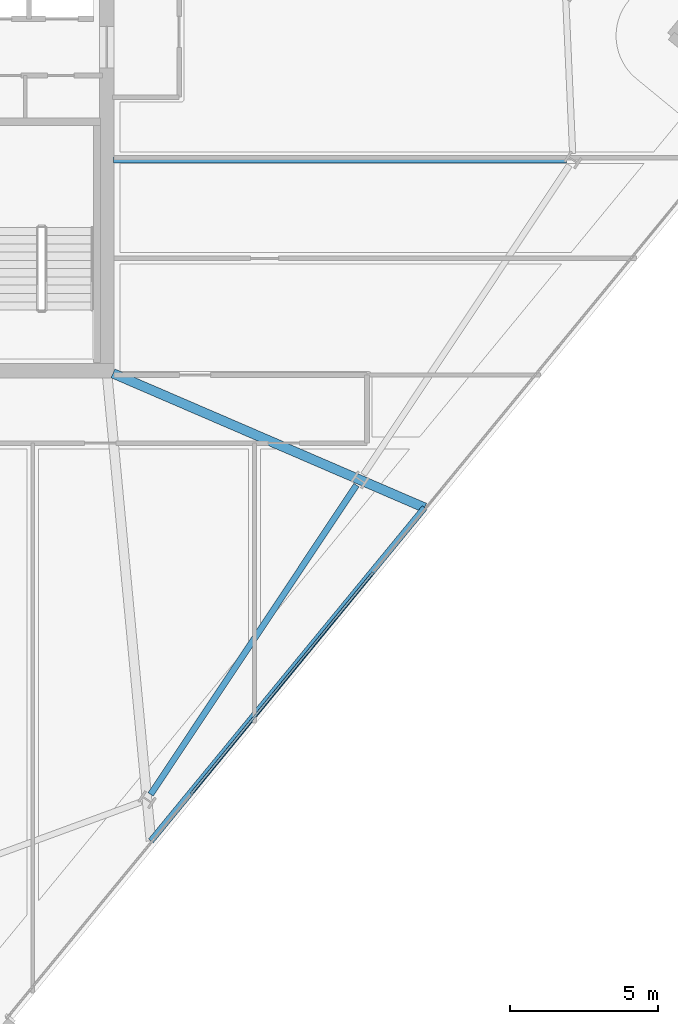
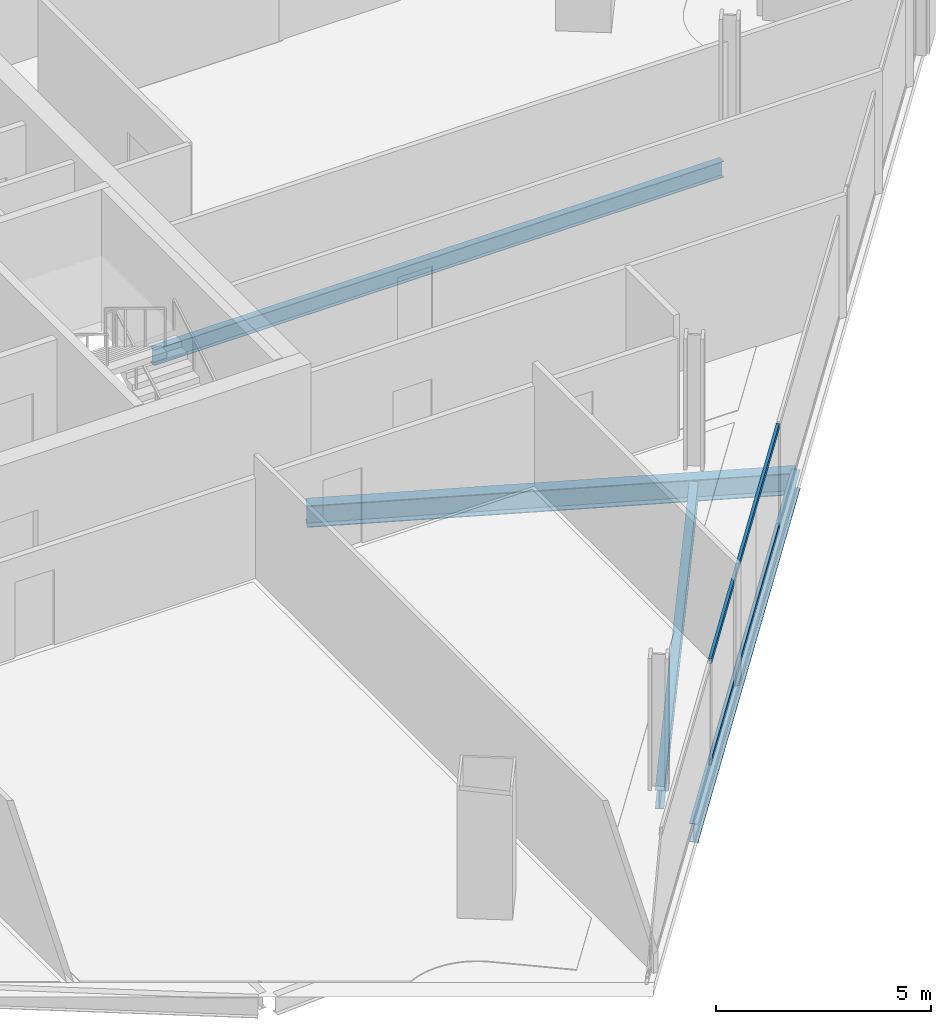
# One storey, part 10 of 28: 4 beams, 2 members, 1 element without a shape of its own.
"""IFC4 building model written with IfcOpenShell, lengths in metres."""

from ifc_helpers import new_model, si_unit, direction, frame, origin, origin_2d, place, context, subcontext, project, spatial, hollow_rectangle, i_section, extrude, material, material_profile, profile_set, type_object, element, aggregate, save


model = new_model("IFC4")

# Units and contexts
model_context = context("Model", 3, precision=1e-05, world=origin(), true_north=direction((0.0, 1.0)))
body_context = subcontext(model_context, "Body", "Model", "MODEL_VIEW")
ifc_project = project(units=[si_unit("LENGTHUNIT", "METRE"), si_unit("AREAUNIT", "SQUARE_METRE"), si_unit("VOLUMEUNIT", "CUBIC_METRE"), si_unit("PLANEANGLEUNIT", "RADIAN"), si_unit("MASSUNIT", "GRAM", prefix="KILO")], contexts=[model_context])

# Site, building, storey
site_placement = place(None, origin())
site = spatial("IfcSite", under=ifc_project, at=site_placement, CompositionType="ELEMENT")
building_placement = place(site_placement, origin())
building = spatial("IfcBuilding", under=site, at=building_placement, Name="Haldenkirk Collegiate Tower", CompositionType="ELEMENT")
storey_placement = place(building_placement, frame((0.0, 0.0, 198.449951171875)))
storey = spatial("IfcBuildingStorey", under=building, at=storey_placement, Name="L49", CompositionType="ELEMENT", Elevation=198.449951171875)

# Beams
ifc_material_1 = material(Name="Steel ASTM A992 Grade 50", Category="steel")
ifc_material_profile_1 = material_profile(ifc_material_1, i_section(OverallWidth=0.324951171875, OverallDepth=0.615966796875, WebThickness=0.013916015625, FlangeThickness=0.021484375, at=origin_2d()), Name="W24X117")
ifc_profile_set_1 = profile_set([ifc_material_profile_1], Name="Steel ASTM A992 Grade 50")
beam_type_1 = type_object("IfcBeamType", Name="BM-GIRDER-W24X117", PredefinedType="BEAM", material=ifc_profile_set_1)
beam_1_placement = place(storey_placement, frame((55.749267578125, 13.3662109375, -0.587890625), z_axis=(-0.91830995229, 0.395862137018, 0.0), x_axis=(-0.395862137018, -0.91830995229, 0.0)))
element("IfcBeam", 1, at=beam_1_placement, inside=storey, type_object=beam_type_1, Name="L49 primary floor girder 06", PredefinedType="BEAM", context=body_context, shape_type="SweptSolid", body=[
    extrude(i_section(OverallWidth=0.324951171875, OverallDepth=0.615966796875, WebThickness=0.013916015625, FlangeThickness=0.021484375, at=origin_2d()), origin(), (0.0, 0.0, 1.0), 11.4755859375),
])
ifc_material_profile_2 = material_profile(ifc_material_1, i_section(OverallWidth=0.18994140625, OverallDepth=0.45703125, WebThickness=0.009033203125, FlangeThickness=0.014404296875, at=origin_2d()), Name="W18X50")
ifc_profile_set_2 = profile_set([ifc_material_profile_2], Name="Steel ASTM A992 Grade 50")
beam_type_2 = type_object("IfcBeamType", Name="BM-JOIST-W18X50", PredefinedType="JOIST", material=ifc_profile_set_2)
beam_2_placement = place(storey_placement, frame((60.548828125, 25.12646484375, -0.508544921875), z_axis=(-1.0, 0.0, 0.0), x_axis=(0.0, -1.0, 0.0)))
element("IfcBeam", 2, at=beam_2_placement, inside=storey, type_object=beam_type_2, Name="L49 composite floor joist 07", PredefinedType="JOIST", context=body_context, shape_type="SweptSolid", body=[
    extrude(i_section(OverallWidth=0.18994140625, OverallDepth=0.45703125, WebThickness=0.009033203125, FlangeThickness=0.014404296875, at=origin_2d()), origin(), (0.0, 0.0, 1.0), 15.31884765625),
])
ifc_material_profile_3 = material_profile(ifc_material_1, i_section(OverallWidth=0.2099609375, OverallDepth=0.537109375, WebThickness=0.010986328125, FlangeThickness=0.017333984375, at=origin_2d()), Name="W21X68")
ifc_profile_set_3 = profile_set([ifc_material_profile_3], Name="Steel ASTM A992 Grade 50")
beam_type_3 = type_object("IfcBeamType", Name="BM-SPANDREL-W21X68", PredefinedType="SPANDREL", material=ifc_profile_set_3)
beam_3_placement = place(storey_placement, frame((46.4833984375, 3.67041015625, -0.54833984375), z_axis=(0.554112521622, 0.832441777773, 0.0), x_axis=(-0.832441777773, 0.554112521622, 0.0)))
element("IfcBeam", 3, at=beam_3_placement, inside=storey, type_object=beam_type_3, Name="L49 perimeter spandrel beam 02", PredefinedType="SPANDREL", context=body_context, shape_type="SweptSolid", body=[
    extrude(i_section(OverallWidth=0.2099609375, OverallDepth=0.537109375, WebThickness=0.010986328125, FlangeThickness=0.017333984375, at=origin_2d()), origin(), (0.0, 0.0, 1.0), 12.561767578125),
])
beam_4_placement = place(storey_placement, frame((46.493896484375, 2.098388671875, -0.54833984375), z_axis=(0.634725498421, 0.772737692657, 0.0), x_axis=(-0.772737692657, 0.634725498421, 0.0)))
element("IfcBeam", 4, at=beam_4_placement, inside=storey, type_object=beam_type_3, Name="L49 outer facade edge beam 1", PredefinedType="SPANDREL", context=body_context, shape_type="SweptSolid", body=[
    extrude(i_section(OverallWidth=0.2099609375, OverallDepth=0.537109375, WebThickness=0.010986328125, FlangeThickness=0.017333984375, at=origin_2d()), origin(), (0.0, 0.0, 1.0), 14.581787109375),
])

# Curtain wall, members
ifc_material_2 = material(Name="Anodised architectural bronze aluminium", Category="aluminium")
curtain_wall_type = type_object("IfcCurtainWallType", Name="CW-SYS2-CONCAVE", PredefinedType="USERDEFINED", material=ifc_material_2)
curtain_wall_placement = place(storey_placement, origin())
curtain_wall = element("IfcCurtainWall", 5, at=curtain_wall_placement, inside=storey, type_object=curtain_wall_type, Name="L49 South concave recessed bronze-anodised curtain wall", ObjectType="UNITISED CURTAIN WALL", PredefinedType="USERDEFINED")
ifc_material_profile_4 = material_profile(ifc_material_2, hollow_rectangle(XDim=0.074951171875, YDim=0.159912109375, WallThickness=0.0048828125, at=origin_2d()), Name="CW-TRN-02")
ifc_profile_set_4 = profile_set([ifc_material_profile_4], Name="Anodised architectural bronze aluminium")
member_type = type_object("IfcMemberType", Name="CW-TRN-02", PredefinedType="USERDEFINED", material=ifc_profile_set_4)
member_1_placement = place(storey_placement, frame((53.996337890625, 11.169189453125, 0.03759765625), z_axis=(-0.63474265211, -0.772723602326, 0.0), x_axis=(0.772723602326, -0.63474265211, 0.0)))
member_1 = element("IfcMember", 6, at=member_1_placement, type_object=member_type, Name="CW-02 transom 3.1", ObjectType="TRANSOM", PredefinedType="USERDEFINED", context=body_context, shape_type="SweptSolid", body=[
    extrude(hollow_rectangle(XDim=0.074951171875, YDim=0.159912109375, WallThickness=0.0048828125, at=origin_2d()), origin(), (0.0, 0.0, 1.0), 9.675048828125),
])
member_2_placement = place(storey_placement, frame((53.996337890625, 11.169189453125, 2.890625), z_axis=(-0.63474265211, -0.772723602326, 0.0), x_axis=(0.772723602326, -0.63474265211, 0.0)))
member_2 = element("IfcMember", 7, at=member_2_placement, type_object=member_type, Name="CW-02 transom 3.2", ObjectType="TRANSOM", PredefinedType="USERDEFINED", context=body_context, shape_type="SweptSolid", body=[
    extrude(hollow_rectangle(XDim=0.074951171875, YDim=0.159912109375, WallThickness=0.0048828125, at=origin_2d()), origin(), (0.0, 0.0, 1.0), 9.675048828125),
])
aggregate(curtain_wall, [member_1, member_2])

save(model, "model.ifc")
